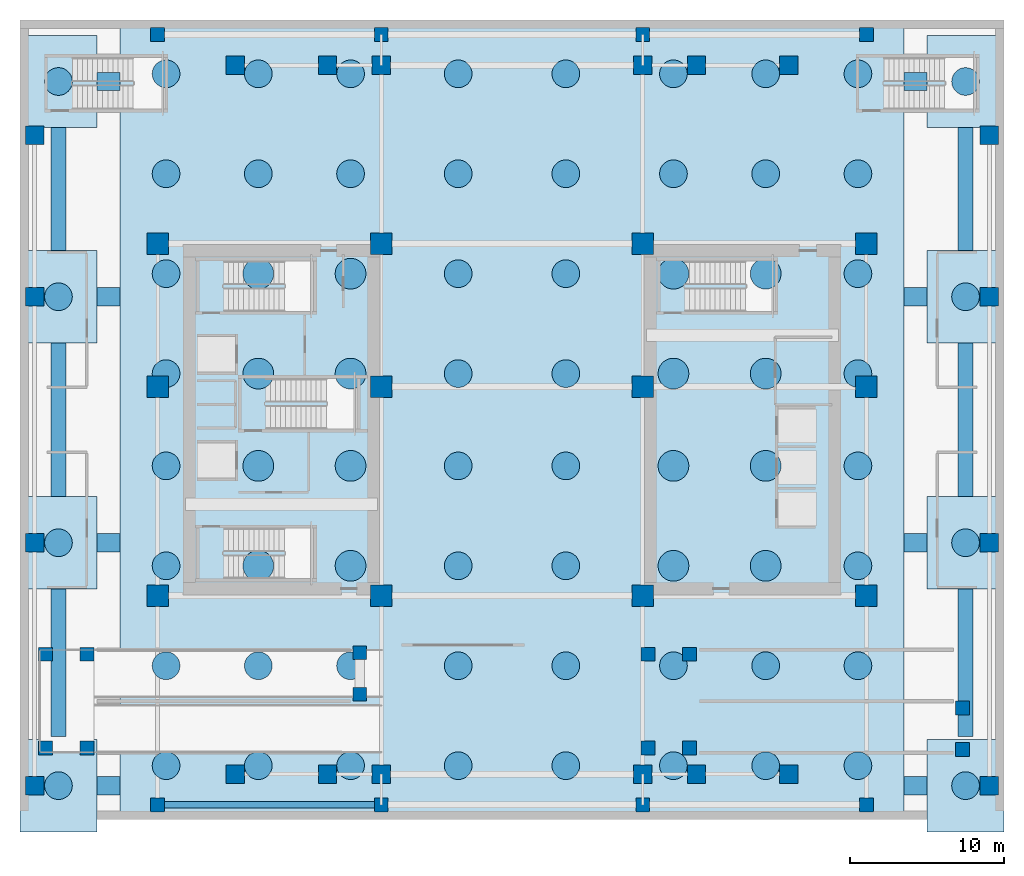
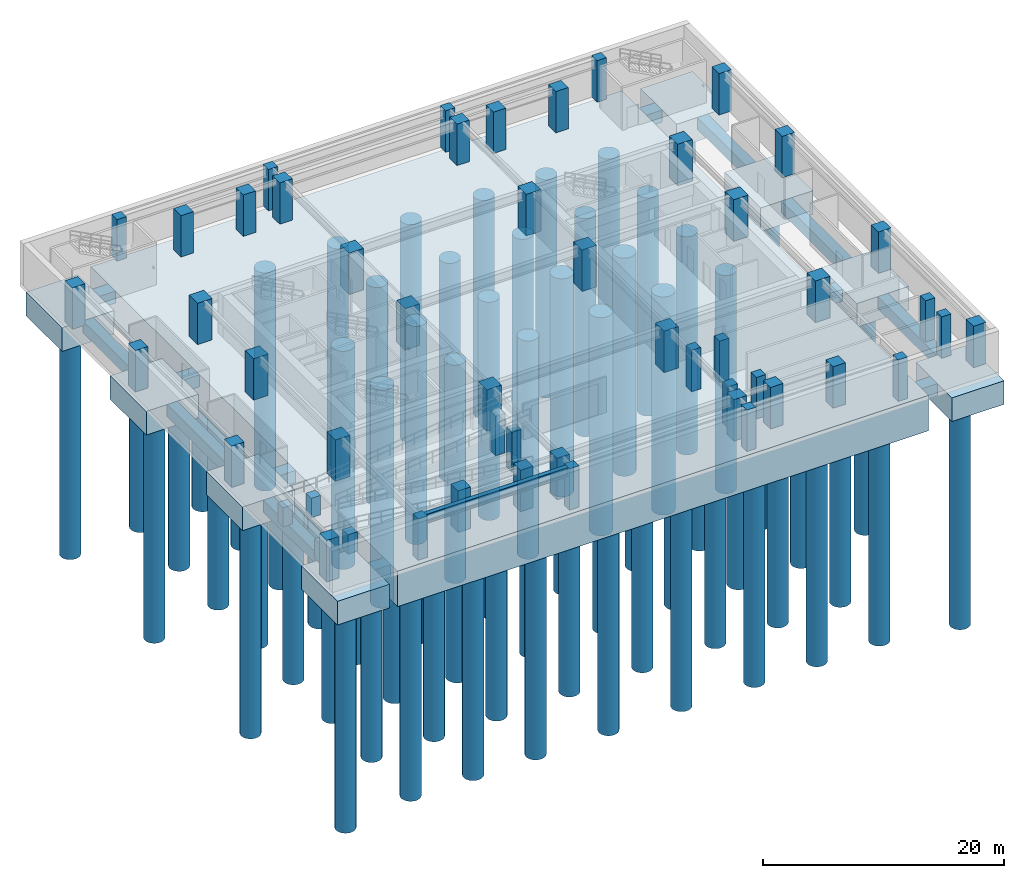
# One storey, part 1 of 9: 72 piles, 52 columns, 23 footings, 1 beam.
"""IFC4 building model written with IfcOpenShell, lengths in metres."""

import ifcopenshell
import ifcopenshell.guid

model = None  # the IFC model being written
_history = None  # IfcOwnerHistory: only IFC2X3 demands one
_inside = {}  # id of a spatial element -> (the spatial element, [elements in it])
_under = {}  # id of a project, library or spatial element -> (it, [spatial elements below it])
_declared = {}  # id of a project -> (the project, [libraries it declares])
_typed = {}  # id of a type object -> (the type object, [elements of that type])
_made_of = {}  # id of a material, layer set ... -> (it, [elements and type objects made of it])


def new_model(schema):
    """Start an empty IFC model of exactly this schema.

    Asked for "IFC4X3", IfcOpenShell would pick the latest addendum, in which some entities
    have other attributes; the version numbers below select the first issue.
    IFC2X3 requires an IfcOwnerHistory on every rooted entity: one is made here for all.
    """
    global model, _history
    if schema == "IFC4X3":
        model = ifcopenshell.file(schema_version=(4, 3, 0, 0))
    else:
        model = ifcopenshell.file(schema=schema)
    _inside.clear()
    _under.clear()
    _declared.clear()
    _typed.clear()
    _made_of.clear()
    _history = None
    if model.schema == "IFC2X3":
        org = make("IfcOrganization", Name="unknown")
        user = make(
            "IfcPersonAndOrganization",
            ThePerson=make("IfcPerson", FamilyName="unknown"),
            TheOrganization=org,
        )
        app = make(
            "IfcApplication",
            ApplicationDeveloper=org,
            Version="unknown",
            ApplicationFullName="unknown",
            ApplicationIdentifier="unknown",
        )
        _history = make(
            "IfcOwnerHistory",
            OwningUser=user,
            OwningApplication=app,
            ChangeAction="ADDED",
            CreationDate=0,
        )
    return model


def make(cls, **values):
    """One entity of the class cls with the attributes given. An attribute that is None is left unset."""
    return model.create_entity(
        cls, **{name: value for name, value in values.items() if value is not None}
    )


def rooted(cls, **values):
    """An entity with a GlobalId (a new one), such as an element, a storey or a relation."""
    return make(cls, GlobalId=ifcopenshell.guid.new(), OwnerHistory=_history, **values)


def si_unit(unit_type, name, prefix=None):
    """IfcSIUnit, for example si_unit("LENGTHUNIT", "METRE", prefix="MILLI")."""
    return make("IfcSIUnit", UnitType=unit_type, Prefix=prefix, Name=name)


def assignment(units):
    """IfcUnitAssignment: the units of a project."""
    return None if units is None else make("IfcUnitAssignment", Units=units)


def point(xyz):
    """IfcCartesianPoint."""
    return None if xyz is None else make("IfcCartesianPoint", Coordinates=xyz)


def direction(xyz):
    """IfcDirection."""
    return None if xyz is None else make("IfcDirection", DirectionRatios=xyz)


def frame(location, z_axis=None, x_axis=None):
    """IfcAxis2Placement3D, a coordinate frame: its origin and axes. An axis left out is left unset."""
    return make(
        "IfcAxis2Placement3D",
        Location=point(location),
        Axis=direction(z_axis),
        RefDirection=direction(x_axis),
    )


def frame_2d(location, x_axis=None):
    """IfcAxis2Placement2D, a coordinate frame in the plane: its origin and x axis."""
    return make(
        "IfcAxis2Placement2D", Location=point(location), RefDirection=direction(x_axis)
    )


def origin():
    """The frame at (0, 0, 0) with its axes left unset."""
    return frame((0.0, 0.0, 0.0))


def origin_2d():
    """The frame at (0, 0) in the plane with its x axis left unset."""
    return frame_2d((0.0, 0.0))


def place(relative_to, where):
    """IfcLocalPlacement: puts the frame where relative to a parent placement (None: the world)."""
    return make(
        "IfcLocalPlacement", PlacementRelTo=relative_to, RelativePlacement=where
    )


def context(
    kind, dimensions, precision=None, world=None, true_north=None, identifier=None
):
    """IfcGeometricRepresentationContext, for example the 3D "Model" context."""
    return make(
        "IfcGeometricRepresentationContext",
        ContextIdentifier=identifier,
        ContextType=kind,
        CoordinateSpaceDimension=dimensions,
        Precision=precision,
        WorldCoordinateSystem=world,
        TrueNorth=true_north,
    )


def subcontext(parent, identifier, kind, view, scale=None):
    """IfcGeometricRepresentationSubContext, for example "Body" below "Model"."""
    return make(
        "IfcGeometricRepresentationSubContext",
        ContextIdentifier=identifier,
        ContextType=kind,
        ParentContext=parent,
        TargetScale=scale,
        TargetView=view,
    )


def project(units=None, contexts=None):
    """IfcProject with its units and contexts."""
    return rooted(
        "IfcProject",
        Name="project",
        RepresentationContexts=contexts,
        UnitsInContext=assignment(units),
    )


def spatial(cls, under=None, at=None, **own):
    """A site, building, storey or space (cls), placed at a placement, below another one or the project."""
    s = rooted(cls, ObjectPlacement=at, **own)
    if under is not None:
        _under.setdefault(under.id(), (under, []))[1].append(s)
    return s


def polyline(points):
    """IfcPolyline through the points."""
    return make("IfcPolyline", Points=[point(p) for p in points])


def profile(cls, at=None, kind="AREA", **sizes):
    """A parametric profile (cls). Its sizes go by their IFC names, for example OverallWidth=200.0."""
    return make(cls, ProfileType=kind, Position=at, **sizes)


def rectangle(**sizes):
    """IfcRectangleProfileDef."""
    return profile("IfcRectangleProfileDef", **sizes)


def circle(**sizes):
    """IfcCircleProfileDef."""
    return profile("IfcCircleProfileDef", **sizes)


def i_section(**sizes):
    """IfcIShapeProfileDef."""
    return profile("IfcIShapeProfileDef", **sizes)


def outline(outer, holes=None, kind="AREA"):
    """IfcArbitraryClosedProfileDef: a profile drawn as a closed curve; with holes, ...WithVoids."""
    if holes is None:
        return make("IfcArbitraryClosedProfileDef", ProfileType=kind, OuterCurve=outer)
    return make(
        "IfcArbitraryProfileDefWithVoids",
        ProfileType=kind,
        OuterCurve=outer,
        InnerCurves=holes,
    )


def extrude(swept, where, along, depth):
    """IfcExtrudedAreaSolid: the profile swept, set in the frame where, extruded along a direction by depth."""
    return make(
        "IfcExtrudedAreaSolid",
        SweptArea=swept,
        Position=where,
        ExtrudedDirection=direction(along),
        Depth=depth,
    )


def shape(context_of_items, identifier, shape_type, items):
    """IfcShapeRepresentation: the items that make up one representation, for example the "Body"."""
    return make(
        "IfcShapeRepresentation",
        ContextOfItems=context_of_items,
        RepresentationIdentifier=identifier,
        RepresentationType=shape_type,
        Items=items,
    )


def source(mapping_origin, context_of_items, identifier, shape_type, items):
    """IfcRepresentationMap: a shape defined once, which mapped items show again and again."""
    return make(
        "IfcRepresentationMap",
        MappingOrigin=mapping_origin,
        MappedRepresentation=shape(context_of_items, identifier, shape_type, items),
    )


def transform(
    local_origin,
    x_axis=None,
    y_axis=None,
    z_axis=None,
    scale=None,
    scale2=None,
    scale3=None,
    uniform=True,
):
    """IfcCartesianTransformationOperator3D, or its non-uniform kind. x_axis, y_axis, z_axis: its Axis1, 2, 3."""
    if uniform:
        return make(
            "IfcCartesianTransformationOperator3D",
            Axis1=direction(x_axis),
            Axis2=direction(y_axis),
            LocalOrigin=point(local_origin),
            Scale=scale,
            Axis3=direction(z_axis),
        )
    return make(
        "IfcCartesianTransformationOperator3DnonUniform",
        Axis1=direction(x_axis),
        Axis2=direction(y_axis),
        LocalOrigin=point(local_origin),
        Scale=scale,
        Axis3=direction(z_axis),
        Scale2=scale2,
        Scale3=scale3,
    )


def mapped(mapping_source, mapping_target):
    """IfcMappedItem: shows the shape of a source again, moved by a transform."""
    return make(
        "IfcMappedItem", MappingSource=mapping_source, MappingTarget=mapping_target
    )


def material(Name=None, Category=None):
    """IfcMaterial."""
    return make("IfcMaterial", Name=Name, Category=Category)


def material_profile(
    of_material, cross_section, Name=None, Category=None, Priority=None
):
    """IfcMaterialProfile: a cross section and its material."""
    return make(
        "IfcMaterialProfile",
        Name=Name,
        Material=of_material,
        Profile=cross_section,
        Priority=Priority,
        Category=Category,
    )


def profile_set(profiles, Name=None, composite=None):
    """IfcMaterialProfileSet."""
    return make(
        "IfcMaterialProfileSet",
        Name=Name,
        MaterialProfiles=profiles,
        CompositeProfile=composite,
    )


def made_of(thing, what):
    """Note that an element or type object is made of a material, layer set ...; save() writes the relation."""
    if what is not None:
        _made_of.setdefault(what.id(), (what, []))[1].append(thing)
    return thing


def type_object(cls, material=None, **own):
    """A type object (cls), such as IfcWallType, which elements share."""
    return made_of(rooted(cls, **own), material)


def element(
    cls,
    number,
    at=None,
    inside=None,
    cuts=None,
    type_object=None,
    material=None,
    context=None,
    identifier="Body",
    shape_type=None,
    held_by="IfcProductDefinitionShape",
    body=None,
    shapes=None,
    **own,
):
    """One element of the class cls, such as IfcWall. Its Tag is "e" and its number.

    at: its placement. inside: the storey or other place that contains it. cuts: it is an
    opening in that element (IfcRelVoidsElement). A single representation is given by context,
    identifier, shape_type and body (its items); several are given by shapes. held_by: the class
    of the entity that holds the representations. save() writes the other relations.
    """
    e = rooted(cls, Tag="e%d" % number, ObjectPlacement=at, **own)
    if body is not None:
        shapes = [shape(context, identifier, shape_type, body)]
    if shapes is not None:
        e.Representation = make(held_by, Representations=shapes)
    if inside is not None:
        _inside.setdefault(inside.id(), (inside, []))[1].append(e)
    if cuts is not None:
        rooted(
            "IfcRelVoidsElement", RelatingBuildingElement=cuts, RelatedOpeningElement=e
        )
    if type_object is not None:
        _typed.setdefault(type_object.id(), (type_object, []))[1].append(e)
    return made_of(e, material)


def aggregate(whole, parts):
    """IfcRelAggregates: a whole, such as a stair, and the parts it consists of."""
    return rooted("IfcRelAggregates", RelatingObject=whole, RelatedObjects=parts)


def save(model, path):
    """Write the relations noted so far, then the file.

    IfcRelAggregates (storeys below a building ...), IfcRelContainedInSpatialStructure (elements
    in a storey), IfcRelDefinesByType, IfcRelAssociatesMaterial and IfcRelDeclares: one each for
    every whole, place, type object, material and project.
    """
    for whole, parts in _under.values():
        aggregate(whole, parts)
    for where, things in _inside.values():
        rooted(
            "IfcRelContainedInSpatialStructure",
            RelatedElements=things,
            RelatingStructure=where,
        )
    for kind, things in _typed.values():
        rooted("IfcRelDefinesByType", RelatedObjects=things, RelatingType=kind)
    for what, things in _made_of.values():
        rooted("IfcRelAssociatesMaterial", RelatedObjects=things, RelatingMaterial=what)
    for by, libraries in _declared.values():
        rooted("IfcRelDeclares", RelatingContext=by, RelatedDefinitions=libraries)
    model.write(path)


model = new_model("IFC4")

# Units and contexts
model_context = context("Model", 3, precision=1e-05, world=origin(), true_north=direction((0.0, 1.0)))
body_context = subcontext(model_context, "Body", "Model", "MODEL_VIEW")
ifc_project = project(units=[si_unit("LENGTHUNIT", "METRE"), si_unit("AREAUNIT", "SQUARE_METRE"), si_unit("VOLUMEUNIT", "CUBIC_METRE"), si_unit("PLANEANGLEUNIT", "RADIAN"), si_unit("MASSUNIT", "GRAM", prefix="KILO")], contexts=[model_context])

# Site, building, storey
site_placement = place(None, origin())
site = spatial("IfcSite", under=ifc_project, at=site_placement, CompositionType="ELEMENT")
building_placement = place(site_placement, origin())
building = spatial("IfcBuilding", under=site, at=building_placement, Name="Ocotamira Hotel", CompositionType="ELEMENT")
storey_placement = place(building_placement, frame((0.0, 0.0, -9.0)))
storey = spatial("IfcBuildingStorey", under=building, at=storey_placement, Name="B02", CompositionType="ELEMENT", Elevation=-9.0)

# Footings
ifc_material_1 = material(Name="Concrete C50/60", Category="concrete")
footing_type_1 = type_object("IfcFootingType", Name="FTG-CAP-6000", PredefinedType="PILE_CAP", material=ifc_material_1)
footing_1_placement = place(storey_placement, frame((0.0, 0.0, -2.800048828125)))
element("IfcFooting", 1, at=footing_1_placement, inside=storey, type_object=footing_type_1, Name="Podium Pile Cap FT-2 W1", PredefinedType="PILE_CAP", context=body_context, shape_type="SweptSolid", body=[
    extrude(outline(polyline([(0.0, -0.800048828125), (5.0, -0.800048828125), (5.0, 5.199951171875), (0.0, 5.199951171875), (0.0, -0.800048828125)])), origin(), (0.0, 0.0, 1.0), 2.400146484375),
])
footing_2_placement = place(storey_placement, frame((0.0, 0.0, -2.800048828125)))
element("IfcFooting", 2, at=footing_2_placement, inside=storey, type_object=footing_type_1, Name="Podium Pile Cap FT-2 W2", PredefinedType="PILE_CAP", context=body_context, shape_type="SweptSolid", body=[
    extrude(outline(polyline([(0.0, 15.0), (5.0, 15.0), (5.0, 21.0), (0.0, 21.0), (0.0, 15.0)])), origin(), (0.0, 0.0, 1.0), 2.400146484375),
])
footing_3_placement = place(storey_placement, frame((0.0, 0.0, -2.800048828125)))
element("IfcFooting", 3, at=footing_3_placement, inside=storey, type_object=footing_type_1, Name="Podium Pile Cap FT-2 W3", PredefinedType="PILE_CAP", context=body_context, shape_type="SweptSolid", body=[
    extrude(outline(polyline([(0.0, 31.0), (5.0, 31.0), (5.0, 37.0), (0.0, 37.0), (0.0, 31.0)])), origin(), (0.0, 0.0, 1.0), 2.400146484375),
])
footing_4_placement = place(storey_placement, frame((0.0, 0.0, -2.800048828125)))
element("IfcFooting", 4, at=footing_4_placement, inside=storey, type_object=footing_type_1, Name="Podium Pile Cap FT-2 W4", PredefinedType="PILE_CAP", context=body_context, shape_type="SweptSolid", body=[
    extrude(outline(polyline([(0.0, 45.0), (5.0, 45.0), (5.0, 51.0), (0.0, 51.0), (0.0, 45.0)])), origin(), (0.0, 0.0, 1.0), 2.400146484375),
])
footing_5_placement = place(storey_placement, frame((0.0, 0.0, -2.800048828125)))
element("IfcFooting", 5, at=footing_5_placement, inside=storey, type_object=footing_type_1, Name="Podium Pile Cap FT-2 E5", PredefinedType="PILE_CAP", context=body_context, shape_type="SweptSolid", body=[
    extrude(outline(polyline([(59.0, -0.800048828125), (64.0, -0.800048828125), (64.0, 5.199951171875), (59.0, 5.199951171875), (59.0, -0.800048828125)])), origin(), (0.0, 0.0, 1.0), 2.400146484375),
])
footing_6_placement = place(storey_placement, frame((0.0, 0.0, -2.800048828125)))
element("IfcFooting", 6, at=footing_6_placement, inside=storey, type_object=footing_type_1, Name="Podium Pile Cap FT-2 E6", PredefinedType="PILE_CAP", context=body_context, shape_type="SweptSolid", body=[
    extrude(outline(polyline([(59.0, 15.0), (64.0, 15.0), (64.0, 21.0), (59.0, 21.0), (59.0, 15.0)])), origin(), (0.0, 0.0, 1.0), 2.400146484375),
])
footing_7_placement = place(storey_placement, frame((0.0, 0.0, -2.800048828125)))
element("IfcFooting", 7, at=footing_7_placement, inside=storey, type_object=footing_type_1, Name="Podium Pile Cap FT-2 E7", PredefinedType="PILE_CAP", context=body_context, shape_type="SweptSolid", body=[
    extrude(outline(polyline([(59.0, 31.0), (64.0, 31.0), (64.0, 37.0), (59.0, 37.0), (59.0, 31.0)])), origin(), (0.0, 0.0, 1.0), 2.400146484375),
])
footing_8_placement = place(storey_placement, frame((0.0, 0.0, -2.800048828125)))
element("IfcFooting", 8, at=footing_8_placement, inside=storey, type_object=footing_type_1, Name="Podium Pile Cap FT-2 E8", PredefinedType="PILE_CAP", context=body_context, shape_type="SweptSolid", body=[
    extrude(outline(polyline([(59.0, 45.0), (64.0, 45.0), (64.0, 51.0), (59.0, 51.0), (59.0, 45.0)])), origin(), (0.0, 0.0, 1.0), 2.400146484375),
])
footing_type_2 = type_object("IfcFootingType", Name="FTG-GB-1200", PredefinedType="FOOTING_BEAM", material=ifc_material_1)
footing_9_placement = place(storey_placement, frame((0.0, 0.0, -1.60009765625)))
element("IfcFooting", 9, at=footing_9_placement, inside=storey, type_object=footing_type_2, Name="Foundation Tie Beam GB-1 W1", PredefinedType="FOOTING_BEAM", context=body_context, shape_type="SweptSolid", body=[
    extrude(outline(polyline([(5.0, 1.60009765625), (6.5, 1.60009765625), (6.5, 2.800048828125), (5.0, 2.800048828125), (5.0, 1.60009765625)])), origin(), (0.0, 0.0, 1.0), 1.2001953125),
])
footing_10_placement = place(storey_placement, frame((0.0, 0.0, -1.60009765625)))
element("IfcFooting", 10, at=footing_10_placement, inside=storey, type_object=footing_type_2, Name="Foundation Tie Beam GB-1 W2", PredefinedType="FOOTING_BEAM", context=body_context, shape_type="SweptSolid", body=[
    extrude(outline(polyline([(5.0, 17.39990234375), (6.5, 17.39990234375), (6.5, 18.60009765625), (5.0, 18.60009765625), (5.0, 17.39990234375)])), origin(), (0.0, 0.0, 1.0), 1.2001953125),
])
footing_11_placement = place(storey_placement, frame((0.0, 0.0, -1.60009765625)))
element("IfcFooting", 11, at=footing_11_placement, inside=storey, type_object=footing_type_2, Name="Foundation Tie Beam GB-1 W3", PredefinedType="FOOTING_BEAM", context=body_context, shape_type="SweptSolid", body=[
    extrude(outline(polyline([(5.0, 33.39990234375), (6.5, 33.39990234375), (6.5, 34.60009765625), (5.0, 34.60009765625), (5.0, 33.39990234375)])), origin(), (0.0, 0.0, 1.0), 1.2001953125),
])
footing_12_placement = place(storey_placement, frame((0.0, 0.0, -1.60009765625)))
element("IfcFooting", 12, at=footing_12_placement, inside=storey, type_object=footing_type_2, Name="Foundation Tie Beam GB-1 W4", PredefinedType="FOOTING_BEAM", context=body_context, shape_type="SweptSolid", body=[
    extrude(outline(polyline([(5.0, 47.39990234375), (6.5, 47.39990234375), (6.5, 48.60009765625), (5.0, 48.60009765625), (5.0, 47.39990234375)])), origin(), (0.0, 0.0, 1.0), 1.2001953125),
])
footing_13_placement = place(storey_placement, frame((0.0, 0.0, -1.60009765625)))
element("IfcFooting", 13, at=footing_13_placement, inside=storey, type_object=footing_type_2, Name="Foundation Tie Beam GB-1 E5", PredefinedType="FOOTING_BEAM", context=body_context, shape_type="SweptSolid", body=[
    extrude(outline(polyline([(57.5, 1.60009765625), (59.0, 1.60009765625), (59.0, 2.800048828125), (57.5, 2.800048828125), (57.5, 1.60009765625)])), origin(), (0.0, 0.0, 1.0), 1.2001953125),
])
footing_14_placement = place(storey_placement, frame((0.0, 0.0, -1.60009765625)))
element("IfcFooting", 14, at=footing_14_placement, inside=storey, type_object=footing_type_2, Name="Foundation Tie Beam GB-1 E6", PredefinedType="FOOTING_BEAM", context=body_context, shape_type="SweptSolid", body=[
    extrude(outline(polyline([(57.5, 17.39990234375), (59.0, 17.39990234375), (59.0, 18.60009765625), (57.5, 18.60009765625), (57.5, 17.39990234375)])), origin(), (0.0, 0.0, 1.0), 1.2001953125),
])
footing_15_placement = place(storey_placement, frame((0.0, 0.0, -1.60009765625)))
element("IfcFooting", 15, at=footing_15_placement, inside=storey, type_object=footing_type_2, Name="Foundation Tie Beam GB-1 E7", PredefinedType="FOOTING_BEAM", context=body_context, shape_type="SweptSolid", body=[
    extrude(outline(polyline([(57.5, 33.39990234375), (59.0, 33.39990234375), (59.0, 34.60009765625), (57.5, 34.60009765625), (57.5, 33.39990234375)])), origin(), (0.0, 0.0, 1.0), 1.2001953125),
])
footing_16_placement = place(storey_placement, frame((0.0, 0.0, -1.60009765625)))
element("IfcFooting", 16, at=footing_16_placement, inside=storey, type_object=footing_type_2, Name="Foundation Tie Beam GB-1 E8", PredefinedType="FOOTING_BEAM", context=body_context, shape_type="SweptSolid", body=[
    extrude(outline(polyline([(57.5, 47.39990234375), (59.0, 47.39990234375), (59.0, 48.60009765625), (57.5, 48.60009765625), (57.5, 47.39990234375)])), origin(), (0.0, 0.0, 1.0), 1.2001953125),
])
footing_type_3 = type_object("IfcFootingType", Name="FTG-RAFT-3600", PredefinedType="PILE_CAP", material=ifc_material_1)
footing_17_placement = place(storey_placement, frame((0.0, 0.0, -4.0)))
element("IfcFooting", 17, at=footing_17_placement, inside=storey, type_object=footing_type_3, Name="Central Tower Piled Raft FT-1", PredefinedType="PILE_CAP", context=body_context, shape_type="SweptSolid", body=[
    extrude(outline(polyline([(6.5, 0.5), (57.5, 0.5), (57.5, 51.5), (6.5, 51.5), (6.5, 0.5)])), origin(), (0.0, 0.0, 1.0), 3.60009765625),
])
footing_type_4 = type_object("IfcFootingType", Name="FTG-SF-1000", PredefinedType="STRIP_FOOTING", material=ifc_material_1)
footing_18_placement = place(storey_placement, frame((0.0, 0.0, -1.60009765625)))
element("IfcFooting", 18, at=footing_18_placement, inside=storey, type_object=footing_type_4, Name="Strip Footing Beam SF-1 W1", PredefinedType="STRIP_FOOTING", context=body_context, shape_type="SweptSolid", body=[
    extrude(outline(polyline([(2.0, 5.39990234375), (3.0, 5.39990234375), (3.0, 15.0), (2.0, 15.0), (2.0, 5.39990234375)])), origin(), (0.0, 0.0, 1.0), 1.2001953125),
])
footing_19_placement = place(storey_placement, frame((0.0, 0.0, -1.60009765625)))
element("IfcFooting", 19, at=footing_19_placement, inside=storey, type_object=footing_type_4, Name="Strip Footing Beam SF-1 W2", PredefinedType="STRIP_FOOTING", context=body_context, shape_type="SweptSolid", body=[
    extrude(outline(polyline([(2.0, 21.0), (3.0, 21.0), (3.0, 31.0), (2.0, 31.0), (2.0, 21.0)])), origin(), (0.0, 0.0, 1.0), 1.2001953125),
])
footing_20_placement = place(storey_placement, frame((0.0, 0.0, -1.60009765625)))
element("IfcFooting", 20, at=footing_20_placement, inside=storey, type_object=footing_type_4, Name="Strip Footing Beam SF-1 W3", PredefinedType="STRIP_FOOTING", context=body_context, shape_type="SweptSolid", body=[
    extrude(outline(polyline([(2.0, 37.0), (3.0, 37.0), (3.0, 45.0), (2.0, 45.0), (2.0, 37.0)])), origin(), (0.0, 0.0, 1.0), 1.2001953125),
])
footing_21_placement = place(storey_placement, frame((0.0, 0.0, -1.60009765625)))
element("IfcFooting", 21, at=footing_21_placement, inside=storey, type_object=footing_type_4, Name="Strip Footing Beam SF-1 E1", PredefinedType="STRIP_FOOTING", context=body_context, shape_type="SweptSolid", body=[
    extrude(outline(polyline([(61.0, 5.39990234375), (62.0, 5.39990234375), (62.0, 15.0), (61.0, 15.0), (61.0, 5.39990234375)])), origin(), (0.0, 0.0, 1.0), 1.2001953125),
])
footing_22_placement = place(storey_placement, frame((0.0, 0.0, -1.60009765625)))
element("IfcFooting", 22, at=footing_22_placement, inside=storey, type_object=footing_type_4, Name="Strip Footing Beam SF-1 E2", PredefinedType="STRIP_FOOTING", context=body_context, shape_type="SweptSolid", body=[
    extrude(outline(polyline([(61.0, 21.0), (62.0, 21.0), (62.0, 31.0), (61.0, 31.0), (61.0, 21.0)])), origin(), (0.0, 0.0, 1.0), 1.2001953125),
])
footing_23_placement = place(storey_placement, frame((0.0, 0.0, -1.60009765625)))
element("IfcFooting", 23, at=footing_23_placement, inside=storey, type_object=footing_type_4, Name="Strip Footing Beam SF-1 E3", PredefinedType="STRIP_FOOTING", context=body_context, shape_type="SweptSolid", body=[
    extrude(outline(polyline([(61.0, 37.0), (62.0, 37.0), (62.0, 45.0), (61.0, 45.0), (61.0, 37.0)])), origin(), (0.0, 0.0, 1.0), 1.2001953125),
])

# Piles
ifc_material_profile_1 = material_profile(ifc_material_1, circle(Radius=0.89990234375, at=origin_2d()), Name="PILE1800")
ifc_profile_set_1 = profile_set([ifc_material_profile_1], Name="Concrete C50/60")
pile_type_1 = type_object("IfcPileType", Name="PILE-BORED-1800", PredefinedType="BORED", material=ifc_profile_set_1)
shared_shape_1 = source(origin(), body_context, "Body", "SweptSolid", [
    extrude(circle(Radius=0.89990234375, at=origin_2d()), origin(), (0.0, 0.0, 1.0), 22.14990234375),
])
for number, where, z_axis, x_axis, name in (
    (24, (9.5, 3.5, -3.85009765625), (0.0, 0.0, -1.0), (1.0, 0.0, 0.0), "Bored Caliche Pile 1800 R01-01"),
    (25, (9.5, 10.0, -3.85009765625), (0.0, 0.0, -1.0), (1.0, 0.0, 0.0), "Bored Caliche Pile 1800 R01-02"),
    (26, (9.5, 16.5, -3.85009765625), (0.0, 0.0, -1.0), (1.0, 0.0, 0.0), "Bored Caliche Pile 1800 R01-03"),
    (27, (9.5, 23.0, -3.85009765625), (0.0, 0.0, -1.0), (1.0, 0.0, 0.0), "Bored Caliche Pile 1800 R01-04"),
    (28, (9.5, 29.0, -3.85009765625), (0.0, 0.0, -1.0), (1.0, 0.0, 0.0), "Bored Caliche Pile 1800 R01-05"),
    (29, (9.5, 35.5, -3.85009765625), (0.0, 0.0, -1.0), (1.0, 0.0, 0.0), "Bored Caliche Pile 1800 R01-06"),
    (30, (9.5, 42.0, -3.85009765625), (0.0, 0.0, -1.0), (1.0, 0.0, 0.0), "Bored Caliche Pile 1800 R01-07"),
    (31, (9.5, 48.5, -3.85009765625), (0.0, 0.0, -1.0), (1.0, 0.0, 0.0), "Bored Caliche Pile 1800 R01-08"),
    (32, (15.5, 3.5, -3.85009765625), (0.0, 0.0, -1.0), (1.0, 0.0, 0.0), "Bored Caliche Pile 1800 R02-01"),
    (33, (15.5, 10.0, -3.85009765625), (0.0, 0.0, -1.0), (1.0, 0.0, 0.0), "Bored Caliche Pile 1800 R02-02"),
    (34, (15.5, 42.0, -3.85009765625), (0.0, 0.0, -1.0), (1.0, 0.0, 0.0), "Bored Caliche Pile 1800 R02-07"),
    (35, (15.5, 48.5, -3.85009765625), (0.0, 0.0, -1.0), (1.0, 0.0, 0.0), "Bored Caliche Pile 1800 R02-08"),
    (36, (21.5, 3.5, -3.85009765625), (0.0, 0.0, -1.0), (1.0, 0.0, 0.0), "Bored Caliche Pile 1800 R03-01"),
    (37, (21.5, 10.0, -3.85009765625), (0.0, 0.0, -1.0), (1.0, 0.0, 0.0), "Bored Caliche Pile 1800 R03-02"),
    (38, (21.5, 42.0, -3.85009765625), (0.0, 0.0, -1.0), (1.0, 0.0, 0.0), "Bored Caliche Pile 1800 R03-07"),
    (39, (21.5, 48.5, -3.85009765625), (0.0, 0.0, -1.0), (1.0, 0.0, 0.0), "Bored Caliche Pile 1800 R03-08"),
    (40, (28.5, 3.5, -3.85009765625), (0.0, 0.0, -1.0), (1.0, 0.0, 0.0), "Bored Caliche Pile 1800 R04-01"),
    (41, (28.5, 10.0, -3.85009765625), (0.0, 0.0, -1.0), (1.0, 0.0, 0.0), "Bored Caliche Pile 1800 R04-02"),
    (42, (28.5, 16.5, -3.85009765625), (0.0, 0.0, -1.0), (1.0, 0.0, 0.0), "Bored Caliche Pile 1800 R04-03"),
    (43, (28.5, 23.0, -3.85009765625), (0.0, 0.0, -1.0), (1.0, 0.0, 0.0), "Bored Caliche Pile 1800 R04-04"),
    (44, (28.5, 29.0, -3.85009765625), (0.0, 0.0, -1.0), (1.0, 0.0, 0.0), "Bored Caliche Pile 1800 R04-05"),
    (45, (28.5, 35.5, -3.85009765625), (0.0, 0.0, -1.0), (1.0, 0.0, 0.0), "Bored Caliche Pile 1800 R04-06"),
    (46, (28.5, 42.0, -3.85009765625), (0.0, 0.0, -1.0), (1.0, 0.0, 0.0), "Bored Caliche Pile 1800 R04-07"),
    (47, (28.5, 48.5, -3.85009765625), (0.0, 0.0, -1.0), (1.0, 0.0, 0.0), "Bored Caliche Pile 1800 R04-08"),
    (48, (35.5, 3.5, -3.85009765625), (0.0, 0.0, -1.0), (1.0, 0.0, 0.0), "Bored Caliche Pile 1800 R05-01"),
    (49, (35.5, 10.0, -3.85009765625), (0.0, 0.0, -1.0), (1.0, 0.0, 0.0), "Bored Caliche Pile 1800 R05-02"),
    (50, (35.5, 16.5, -3.85009765625), (0.0, 0.0, -1.0), (1.0, 0.0, 0.0), "Bored Caliche Pile 1800 R05-03"),
    (51, (35.5, 23.0, -3.85009765625), (0.0, 0.0, -1.0), (1.0, 0.0, 0.0), "Bored Caliche Pile 1800 R05-04"),
    (52, (35.5, 29.0, -3.85009765625), (0.0, 0.0, -1.0), (1.0, 0.0, 0.0), "Bored Caliche Pile 1800 R05-05"),
    (53, (35.5, 35.5, -3.85009765625), (0.0, 0.0, -1.0), (1.0, 0.0, 0.0), "Bored Caliche Pile 1800 R05-06"),
    (54, (35.5, 42.0, -3.85009765625), (0.0, 0.0, -1.0), (1.0, 0.0, 0.0), "Bored Caliche Pile 1800 R05-07"),
    (55, (35.5, 48.5, -3.85009765625), (0.0, 0.0, -1.0), (1.0, 0.0, 0.0), "Bored Caliche Pile 1800 R05-08"),
    (56, (42.5, 3.5, -3.85009765625), (0.0, 0.0, -1.0), (1.0, 0.0, 0.0), "Bored Caliche Pile 1800 R06-01"),
    (57, (42.5, 10.0, -3.85009765625), (0.0, 0.0, -1.0), (1.0, 0.0, 0.0), "Bored Caliche Pile 1800 R06-02"),
    (58, (42.5, 42.0, -3.85009765625), (0.0, 0.0, -1.0), (1.0, 0.0, 0.0), "Bored Caliche Pile 1800 R06-07"),
    (59, (42.5, 48.5, -3.85009765625), (0.0, 0.0, -1.0), (1.0, 0.0, 0.0), "Bored Caliche Pile 1800 R06-08"),
    (60, (48.5, 3.5, -3.85009765625), (0.0, 0.0, -1.0), (1.0, 0.0, 0.0), "Bored Caliche Pile 1800 R07-01"),
    (61, (48.5, 10.0, -3.85009765625), (0.0, 0.0, -1.0), (1.0, 0.0, 0.0), "Bored Caliche Pile 1800 R07-02"),
    (62, (48.5, 42.0, -3.85009765625), (0.0, 0.0, -1.0), (1.0, 0.0, 0.0), "Bored Caliche Pile 1800 R07-07"),
    (63, (48.5, 48.5, -3.85009765625), (0.0, 0.0, -1.0), (1.0, 0.0, 0.0), "Bored Caliche Pile 1800 R07-08"),
    (64, (54.5, 3.5, -3.85009765625), (0.0, 0.0, -1.0), (1.0, 0.0, 0.0), "Bored Caliche Pile 1800 R08-01"),
    (65, (54.5, 10.0, -3.85009765625), (0.0, 0.0, -1.0), (1.0, 0.0, 0.0), "Bored Caliche Pile 1800 R08-02"),
    (66, (54.5, 16.5, -3.85009765625), (0.0, 0.0, -1.0), (1.0, 0.0, 0.0), "Bored Caliche Pile 1800 R08-03"),
    (67, (54.5, 23.0, -3.85009765625), (0.0, 0.0, -1.0), (1.0, 0.0, 0.0), "Bored Caliche Pile 1800 R08-04"),
    (68, (54.5, 29.0, -3.85009765625), (0.0, 0.0, -1.0), (1.0, 0.0, 0.0), "Bored Caliche Pile 1800 R08-05"),
    (69, (54.5, 35.5, -3.85009765625), (0.0, 0.0, -1.0), (1.0, 0.0, 0.0), "Bored Caliche Pile 1800 R08-06"),
    (70, (54.5, 42.0, -3.85009765625), (0.0, 0.0, -1.0), (1.0, 0.0, 0.0), "Bored Caliche Pile 1800 R08-07"),
    (71, (54.5, 48.5, -3.85009765625), (0.0, 0.0, -1.0), (1.0, 0.0, 0.0), "Bored Caliche Pile 1800 R08-08"),
):
    element("IfcPile", number, at=place(storey_placement, frame(where, z_axis=z_axis, x_axis=x_axis)), inside=storey, type_object=pile_type_1, Name=name, PredefinedType="BORED", context=body_context, shape_type="MappedRepresentation", body=[
        mapped(shared_shape_1, transform((0.0, 0.0, 0.0), scale=1.0)),
    ])
ifc_material_profile_2 = material_profile(ifc_material_1, circle(Radius=1.0, at=origin_2d()), Name="PILE2000")
ifc_profile_set_2 = profile_set([ifc_material_profile_2], Name="Concrete C50/60")
pile_type_2 = type_object("IfcPileType", Name="PILE-BORED-2000", PredefinedType="BORED", material=ifc_profile_set_2)
shared_shape_2 = source(origin(), body_context, "Body", "SweptSolid", [
    extrude(circle(Radius=1.0, at=origin_2d()), origin(), (0.0, 0.0, 1.0), 22.14990234375),
])
for number, where, z_axis, x_axis, name in (
    (72, (15.5, 16.5, -3.85009765625), (0.0, 0.0, -1.0), (1.0, 0.0, 0.0), "Bored Caliche Pile 2000 R02-03"),
    (73, (15.5, 23.0, -3.85009765625), (0.0, 0.0, -1.0), (1.0, 0.0, 0.0), "Bored Caliche Pile 2000 R02-04"),
    (74, (15.5, 29.0, -3.85009765625), (0.0, 0.0, -1.0), (1.0, 0.0, 0.0), "Bored Caliche Pile 2000 R02-05"),
    (75, (15.5, 35.5, -3.85009765625), (0.0, 0.0, -1.0), (1.0, 0.0, 0.0), "Bored Caliche Pile 2000 R02-06"),
    (76, (21.5, 16.5, -3.85009765625), (0.0, 0.0, -1.0), (1.0, 0.0, 0.0), "Bored Caliche Pile 2000 R03-03"),
    (77, (21.5, 23.0, -3.85009765625), (0.0, 0.0, -1.0), (1.0, 0.0, 0.0), "Bored Caliche Pile 2000 R03-04"),
    (78, (21.5, 29.0, -3.85009765625), (0.0, 0.0, -1.0), (1.0, 0.0, 0.0), "Bored Caliche Pile 2000 R03-05"),
    (79, (21.5, 35.5, -3.85009765625), (0.0, 0.0, -1.0), (1.0, 0.0, 0.0), "Bored Caliche Pile 2000 R03-06"),
    (80, (42.5, 16.5, -3.85009765625), (0.0, 0.0, -1.0), (1.0, 0.0, 0.0), "Bored Caliche Pile 2000 R06-03"),
    (81, (42.5, 23.0, -3.85009765625), (0.0, 0.0, -1.0), (1.0, 0.0, 0.0), "Bored Caliche Pile 2000 R06-04"),
    (82, (42.5, 29.0, -3.85009765625), (0.0, 0.0, -1.0), (1.0, 0.0, 0.0), "Bored Caliche Pile 2000 R06-05"),
    (83, (42.5, 35.5, -3.85009765625), (0.0, 0.0, -1.0), (1.0, 0.0, 0.0), "Bored Caliche Pile 2000 R06-06"),
    (84, (48.5, 16.5, -3.85009765625), (0.0, 0.0, -1.0), (1.0, 0.0, 0.0), "Bored Caliche Pile 2000 R07-03"),
    (85, (48.5, 23.0, -3.85009765625), (0.0, 0.0, -1.0), (1.0, 0.0, 0.0), "Bored Caliche Pile 2000 R07-04"),
    (86, (48.5, 29.0, -3.85009765625), (0.0, 0.0, -1.0), (1.0, 0.0, 0.0), "Bored Caliche Pile 2000 R07-05"),
    (87, (48.5, 35.5, -3.85009765625), (0.0, 0.0, -1.0), (1.0, 0.0, 0.0), "Bored Caliche Pile 2000 R07-06"),
):
    element("IfcPile", number, at=place(storey_placement, frame(where, z_axis=z_axis, x_axis=x_axis)), inside=storey, type_object=pile_type_2, Name=name, PredefinedType="BORED", context=body_context, shape_type="MappedRepresentation", body=[
        mapped(shared_shape_2, transform((0.0, 0.0, 0.0), scale=1.0)),
    ])
shared_shape_3 = source(origin(), body_context, "Body", "SweptSolid", [
    extrude(circle(Radius=0.89990234375, at=origin_2d()), origin(), (0.0, 0.0, 1.0), 23.35009765625),
])
for number, where, z_axis, x_axis, name in (
    (88, (2.5, 2.199951171875, -2.64990234375), (0.0, 0.0, -1.0), (1.0, 0.0, 0.0), "Podium Bored Pile 1800 CW1"),
    (89, (2.5, 18.0, -2.64990234375), (0.0, 0.0, -1.0), (1.0, 0.0, 0.0), "Podium Bored Pile 1800 CW2"),
    (90, (2.5, 34.0, -2.64990234375), (0.0, 0.0, -1.0), (1.0, 0.0, 0.0), "Podium Bored Pile 1800 CW3"),
    (91, (2.5, 48.0, -2.64990234375), (0.0, 0.0, -1.0), (1.0, 0.0, 0.0), "Podium Bored Pile 1800 CW4"),
    (92, (61.5, 2.199951171875, -2.64990234375), (0.0, 0.0, -1.0), (1.0, 0.0, 0.0), "Podium Bored Pile 1800 CE5"),
    (93, (61.5, 18.0, -2.64990234375), (0.0, 0.0, -1.0), (1.0, 0.0, 0.0), "Podium Bored Pile 1800 CE6"),
    (94, (61.5, 34.0, -2.64990234375), (0.0, 0.0, -1.0), (1.0, 0.0, 0.0), "Podium Bored Pile 1800 CE7"),
    (95, (61.5, 48.0, -2.64990234375), (0.0, 0.0, -1.0), (1.0, 0.0, 0.0), "Podium Bored Pile 1800 CE8"),
):
    element("IfcPile", number, at=place(storey_placement, frame(where, z_axis=z_axis, x_axis=x_axis)), inside=storey, type_object=pile_type_1, Name=name, PredefinedType="BORED", context=body_context, shape_type="MappedRepresentation", body=[
        mapped(shared_shape_3, transform((0.0, 0.0, 0.0), scale=1.0)),
    ])

# Columns
ifc_material_profile_3 = material_profile(ifc_material_1, rectangle(XDim=0.89990234375, YDim=0.89990234375, at=origin_2d()), Name="RC900X900")
ifc_profile_set_3 = profile_set([ifc_material_profile_3], Name="Concrete C50/60")
column_type_1 = type_object("IfcColumnType", Name="COL-RC900", PredefinedType="COLUMN", material=ifc_profile_set_3)
shared_shape_4 = source(origin(), body_context, "Body", "SweptSolid", [
    extrude(rectangle(XDim=0.89990234375, YDim=0.89990234375, at=origin_2d()), origin(), (0.0, 0.0, 1.0), 1.949951171875),
])
for number, where, z_axis, x_axis, name in (
    (96, (1.64990234375, 4.64990234375, 0.0), (0.0, 0.0, 1.0), (1.0, 0.0, 0.0), "B02 Ramp VR-1 Landing Column 1"),
    (97, (4.35009765625, 4.64990234375, 0.0), (0.0, 0.0, 1.0), (1.0, 0.0, 0.0), "B02 Ramp VR-1 Landing Column 2"),
    (98, (1.64990234375, 10.75, 0.0), (0.0, 0.0, 1.0), (1.0, 0.0, 0.0), "B02 Ramp VR-1 Landing Column 3"),
    (99, (4.35009765625, 10.75, 0.0), (0.0, 0.0, 1.0), (1.0, 0.0, 0.0), "B02 Ramp VR-1 Landing Column 4"),
):
    element("IfcColumn", number, at=place(storey_placement, frame(where, z_axis=z_axis, x_axis=x_axis)), inside=storey, type_object=column_type_1, Name=name, PredefinedType="COLUMN", context=body_context, shape_type="MappedRepresentation", body=[
        mapped(shared_shape_4, transform((0.0, 0.0, 0.0), scale=1.0)),
    ])
shared_shape_5 = source(origin(), body_context, "Body", "SweptSolid", [
    extrude(rectangle(XDim=0.89990234375, YDim=0.89990234375, at=origin_2d()), origin(), (0.0, 0.0, 1.0), 4.02001953125),
])
for number, where, z_axis, x_axis, name in (
    (100, (22.10009765625, 8.14990234375, 0.0), (0.0, 0.0, 1.0), (1.0, 0.0, 0.0), "B02 Ramp VR-1 Arrival Pier 1"),
    (101, (22.10009765625, 10.85009765625, 0.0), (0.0, 0.0, 1.0), (1.0, 0.0, 0.0), "B02 Ramp VR-1 Arrival Pier 2"),
):
    element("IfcColumn", number, at=place(storey_placement, frame(where, z_axis=z_axis, x_axis=x_axis)), inside=storey, type_object=column_type_1, Name=name, PredefinedType="COLUMN", context=body_context, shape_type="MappedRepresentation", body=[
        mapped(shared_shape_5, transform((0.0, 0.0, 0.0), scale=1.0)),
    ])
shared_shape_6 = source(origin(), body_context, "Body", "SweptSolid", [
    extrude(rectangle(XDim=0.89990234375, YDim=0.89990234375, at=origin_2d()), origin(), (0.0, 0.0, 1.0), 4.199951171875),
])
for number, where, z_axis, x_axis, name in (
    (102, (61.300048828125, 4.550048828125, 0.0), (0.0, 0.0, 1.0), (1.0, 0.0, 0.0), "B02 Ramp VR-2 Sub-Pier 1"),
    (103, (61.300048828125, 7.25, 0.0), (0.0, 0.0, 1.0), (1.0, 0.0, 0.0), "B02 Ramp VR-2 Sub-Pier 2"),
    (104, (40.85009765625, 4.64990234375, 0.0), (0.0, 0.0, 1.0), (1.0, 0.0, 0.0), "B02 Ramp VR-2 Base Column 1"),
    (105, (43.550048828125, 4.64990234375, 0.0), (0.0, 0.0, 1.0), (1.0, 0.0, 0.0), "B02 Ramp VR-2 Base Column 2"),
    (106, (40.85009765625, 10.75, 0.0), (0.0, 0.0, 1.0), (1.0, 0.0, 0.0), "B02 Ramp VR-2 Base Column 3"),
    (107, (43.550048828125, 10.75, 0.0), (0.0, 0.0, 1.0), (1.0, 0.0, 0.0), "B02 Ramp VR-2 Base Column 4"),
    (108, (8.949951171875, 0.949951171875, 0.0), (0.0, 0.0, 1.0), (1.0, 0.0, 0.0), "B02 Column PS1_1"),
    (109, (23.5, 0.949951171875, 0.0), (0.0, 0.0, 1.0), (1.0, 0.0, 0.0), "B02 Column PS1_2"),
    (110, (40.5, 0.949951171875, 0.0), (0.0, 0.0, 1.0), (1.0, 0.0, 0.0), "B02 Column PS1_3"),
    (111, (55.050048828125, 0.949951171875, 0.0), (0.0, 0.0, 1.0), (1.0, 0.0, 0.0), "B02 Column PS1_4"),
    (112, (8.949951171875, 51.050048828125, 0.0), (0.0, 0.0, 1.0), (1.0, 0.0, 0.0), "B02 Column PS2_1"),
    (113, (23.5, 51.050048828125, 0.0), (0.0, 0.0, 1.0), (1.0, 0.0, 0.0), "B02 Column PS2_2"),
    (114, (40.5, 51.050048828125, 0.0), (0.0, 0.0, 1.0), (1.0, 0.0, 0.0), "B02 Column PS2_3"),
    (115, (55.050048828125, 51.050048828125, 0.0), (0.0, 0.0, 1.0), (1.0, 0.0, 0.0), "B02 Column PS2_4"),
):
    element("IfcColumn", number, at=place(storey_placement, frame(where, z_axis=z_axis, x_axis=x_axis)), inside=storey, type_object=column_type_1, Name=name, PredefinedType="COLUMN", context=body_context, shape_type="MappedRepresentation", body=[
        mapped(shared_shape_6, transform((0.0, 0.0, 0.0), scale=1.0)),
    ])
ifc_material_2 = material(Name="Concrete C60/75", Category="concrete")
ifc_material_profile_4 = material_profile(ifc_material_2, rectangle(XDim=1.199951171875, YDim=1.199951171875, at=origin_2d()), Name="RC1200X1200")
ifc_profile_set_4 = profile_set([ifc_material_profile_4], Name="Concrete C60/75")
column_type_2 = type_object("IfcColumnType", Name="COL-RC1200", PredefinedType="COLUMN", material=ifc_profile_set_4)
shared_shape_7 = source(origin(), body_context, "Body", "SweptSolid", [
    extrude(rectangle(XDim=1.199951171875, YDim=1.199951171875, at=origin_2d()), origin(), (0.0, 0.0, 1.0), 4.199951171875),
])
for number, where, z_axis, x_axis, name in (
    (116, (0.949951171875, 2.199951171875, 0.0), (0.0, 0.0, 1.0), (1.0, 0.0, 0.0), "B02 Column PW1"),
    (117, (63.050048828125, 2.199951171875, 0.0), (0.0, 0.0, 1.0), (1.0, 0.0, 0.0), "B02 Column PE1"),
    (118, (0.949951171875, 18.0, 0.0), (0.0, 0.0, 1.0), (1.0, 0.0, 0.0), "B02 Column PW2"),
    (119, (63.050048828125, 18.0, 0.0), (0.0, 0.0, 1.0), (1.0, 0.0, 0.0), "B02 Column PE2"),
    (120, (0.949951171875, 34.0, 0.0), (0.0, 0.0, 1.0), (1.0, 0.0, 0.0), "B02 Column PW3"),
    (121, (63.050048828125, 34.0, 0.0), (0.0, 0.0, 1.0), (1.0, 0.0, 0.0), "B02 Column PE3"),
    (122, (0.949951171875, 44.5, 0.0), (0.0, 0.0, 1.0), (1.0, 0.0, 0.0), "B02 Column PW4"),
    (123, (63.050048828125, 44.5, 0.0), (0.0, 0.0, 1.0), (1.0, 0.0, 0.0), "B02 Column PE4"),
    (124, (14.0, 2.949951171875, 0.0), (0.0, 0.0, 1.0), (1.0, 0.0, 0.0), "B02 Column NSP1_14"),
    (125, (20.0, 2.949951171875, 0.0), (0.0, 0.0, 1.0), (1.0, 0.0, 0.0), "B02 Column NSP1_20"),
    (126, (23.5, 2.949951171875, 0.0), (0.0, 0.0, 1.0), (1.0, 0.0, 0.0), "B02 Column NSP1_23"),
    (127, (40.5, 2.949951171875, 0.0), (0.0, 0.0, 1.0), (1.0, 0.0, 0.0), "B02 Column NSP1_40"),
    (128, (44.0, 2.949951171875, 0.0), (0.0, 0.0, 1.0), (1.0, 0.0, 0.0), "B02 Column NSP1_44"),
    (129, (50.0, 2.949951171875, 0.0), (0.0, 0.0, 1.0), (1.0, 0.0, 0.0), "B02 Column NSP1_50"),
    (130, (14.0, 49.050048828125, 0.0), (0.0, 0.0, 1.0), (1.0, 0.0, 0.0), "B02 Column NSP2_14"),
    (131, (20.0, 49.050048828125, 0.0), (0.0, 0.0, 1.0), (1.0, 0.0, 0.0), "B02 Column NSP2_20"),
    (132, (23.5, 49.050048828125, 0.0), (0.0, 0.0, 1.0), (1.0, 0.0, 0.0), "B02 Column NSP2_23"),
    (133, (40.5, 49.050048828125, 0.0), (0.0, 0.0, 1.0), (1.0, 0.0, 0.0), "B02 Column NSP2_40"),
    (134, (44.0, 49.050048828125, 0.0), (0.0, 0.0, 1.0), (1.0, 0.0, 0.0), "B02 Column NSP2_44"),
    (135, (50.0, 49.050048828125, 0.0), (0.0, 0.0, 1.0), (1.0, 0.0, 0.0), "B02 Column NSP2_50"),
):
    element("IfcColumn", number, at=place(storey_placement, frame(where, z_axis=z_axis, x_axis=x_axis)), inside=storey, type_object=column_type_2, Name=name, PredefinedType="COLUMN", context=body_context, shape_type="MappedRepresentation", body=[
        mapped(shared_shape_7, transform((0.0, 0.0, 0.0), scale=1.0)),
    ])
ifc_material_profile_5 = material_profile(ifc_material_2, rectangle(XDim=1.39990234375, YDim=1.39990234375, at=origin_2d()), Name="RC1400X1400")
ifc_profile_set_5 = profile_set([ifc_material_profile_5], Name="Concrete C60/75")
column_type_3 = type_object("IfcColumnType", Name="COL-RC1400", PredefinedType="COLUMN", material=ifc_profile_set_5)
shared_shape_8 = source(origin(), body_context, "Body", "SweptSolid", [
    extrude(rectangle(XDim=1.39990234375, YDim=1.39990234375, at=origin_2d()), origin(), (0.0, 0.0, 1.0), 4.199951171875),
])
for number, where, z_axis, x_axis, name in (
    (136, (8.949951171875, 14.550048828125, 0.0), (0.0, 0.0, 1.0), (1.0, 0.0, 0.0), "B02 Column TW8_14"),
    (137, (23.5, 14.550048828125, 0.0), (0.0, 0.0, 1.0), (1.0, 0.0, 0.0), "B02 Column TW23_14"),
    (138, (40.5, 14.550048828125, 0.0), (0.0, 0.0, 1.0), (1.0, 0.0, 0.0), "B02 Column TE40_14"),
    (139, (55.050048828125, 14.550048828125, 0.0), (0.0, 0.0, 1.0), (1.0, 0.0, 0.0), "B02 Column TE55_14"),
    (140, (8.949951171875, 28.14990234375, 0.0), (0.0, 0.0, 1.0), (1.0, 0.0, 0.0), "B02 Column TW8_28"),
    (141, (23.5, 28.14990234375, 0.0), (0.0, 0.0, 1.0), (1.0, 0.0, 0.0), "B02 Column TW23_28"),
    (142, (40.5, 28.14990234375, 0.0), (0.0, 0.0, 1.0), (1.0, 0.0, 0.0), "B02 Column TE40_28"),
    (143, (55.050048828125, 28.14990234375, 0.0), (0.0, 0.0, 1.0), (1.0, 0.0, 0.0), "B02 Column TE55_28"),
    (144, (8.949951171875, 37.449951171875, 0.0), (0.0, 0.0, 1.0), (1.0, 0.0, 0.0), "B02 Column TW8_37"),
    (145, (23.5, 37.449951171875, 0.0), (0.0, 0.0, 1.0), (1.0, 0.0, 0.0), "B02 Column TW23_37"),
    (146, (40.5, 37.449951171875, 0.0), (0.0, 0.0, 1.0), (1.0, 0.0, 0.0), "B02 Column TE40_37"),
    (147, (55.050048828125, 37.449951171875, 0.0), (0.0, 0.0, 1.0), (1.0, 0.0, 0.0), "B02 Column TE55_37"),
):
    element("IfcColumn", number, at=place(storey_placement, frame(where, z_axis=z_axis, x_axis=x_axis)), inside=storey, type_object=column_type_3, Name=name, PredefinedType="COLUMN", context=body_context, shape_type="MappedRepresentation", body=[
        mapped(shared_shape_8, transform((0.0, 0.0, 0.0), scale=1.0)),
    ])

# Beam
ifc_material_3 = material(Name="Steel ASTM A992 Grade 50", Category="steel")
ifc_material_profile_6 = material_profile(ifc_material_3, i_section(OverallWidth=0.41796875, OverallDepth=0.927001953125, WebThickness=0.019287109375, FlangeThickness=0.031982421875, FilletRadius=0.02392578125, at=origin_2d()), Name="W36X231")
ifc_profile_set_6 = profile_set([ifc_material_profile_6], Name="Steel ASTM A992 Grade 50")
beam_type = type_object("IfcBeamType", Name="BM-GIRD-W36X231", PredefinedType="BEAM", material=ifc_profile_set_6)
shared_shape_9 = source(origin(), body_context, "Body", "SweptSolid", [
    extrude(i_section(OverallWidth=0.41796875, OverallDepth=0.927001953125, WebThickness=0.019287109375, FlangeThickness=0.031982421875, FilletRadius=0.02392578125, at=origin_2d()), origin(), (0.0, 0.0, 1.0), 14.550048828125),
])
beam_placement = place(storey_placement, frame((8.949951171875, 0.949951171875, 3.736572265625), z_axis=(1.0, 0.0, 0.0), x_axis=(0.0, 1.0, 0.0)))
element("IfcBeam", 148, at=beam_placement, inside=storey, type_object=beam_type, Name="B02 Girder Y0.95 X8.95-23.5", PredefinedType="BEAM", context=body_context, shape_type="MappedRepresentation", body=[
    mapped(shared_shape_9, transform((0.0, 0.0, 0.0), scale=1.0)),
])

save(model, "model.ifc")
